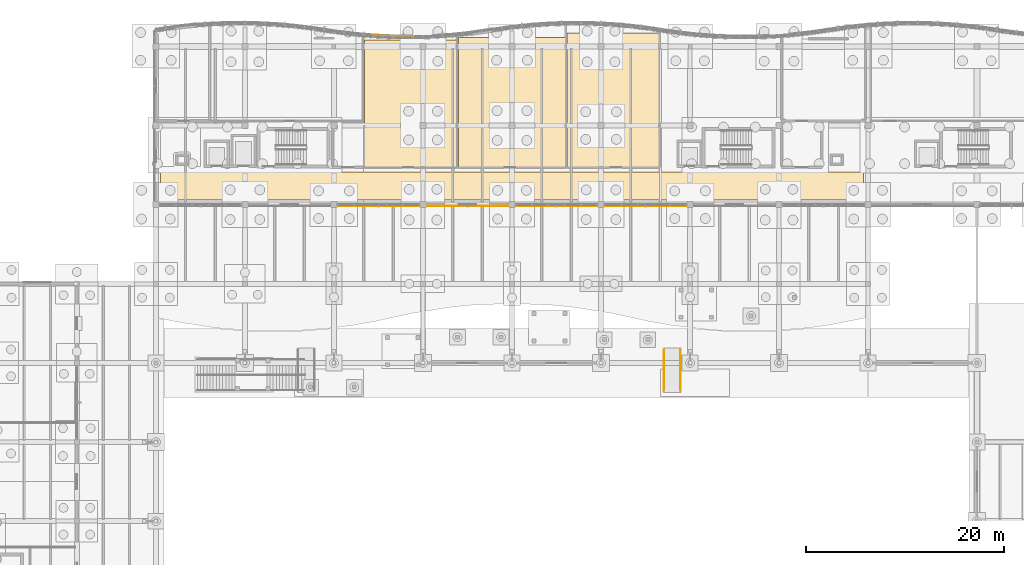
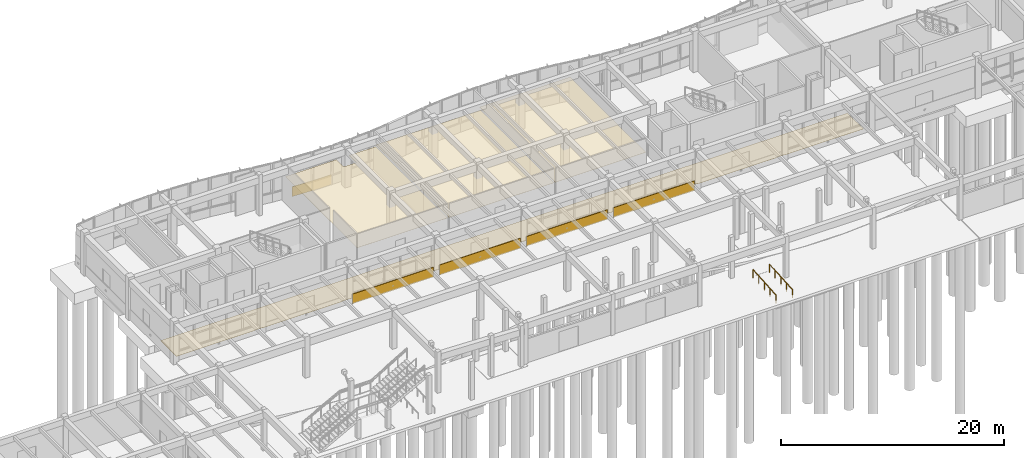
# One storey, part 91 of 99: 10 coverings, 2 railings.
"""IFC4 building model written with IfcOpenShell, lengths in metres."""

from ifc_helpers import new_model, si_unit, direction, frame, origin, origin_2d, place, context, subcontext, project, spatial, polyline, circle, outline, extrude, material, layer, layer_set, type_object, element, save


model = new_model("IFC4")

# Units and contexts
model_context = context("Model", 3, precision=1e-05, world=origin(), true_north=direction((0.0, 1.0)))
body_context = subcontext(model_context, "Body", "Model", "MODEL_VIEW")
ifc_project = project(units=[si_unit("LENGTHUNIT", "METRE"), si_unit("AREAUNIT", "SQUARE_METRE"), si_unit("VOLUMEUNIT", "CUBIC_METRE"), si_unit("PLANEANGLEUNIT", "RADIAN"), si_unit("MASSUNIT", "GRAM", prefix="KILO")], contexts=[model_context])

# Site, building, storey
site_placement = place(None, origin())
site = spatial("IfcSite", under=ifc_project, at=site_placement, CompositionType="ELEMENT")
building_placement = place(site_placement, origin())
building = spatial("IfcBuilding", under=site, at=building_placement, Name="Tonlespit Floodbar School", CompositionType="ELEMENT")
storey_placement = place(building_placement, origin())
storey = spatial("IfcBuildingStorey", under=building, at=storey_placement, Name="L00", CompositionType="ELEMENT", Elevation=0.0)

# Coverings
ifc_material_1 = material(Name="Acoustic Mineral Tile")
ifc_layer_1 = layer(ifc_material_1, 0.02001953125)
ifc_layer_set_1 = layer_set([ifc_layer_1], Name="Acoustic Mineral Tile")
covering_type_1 = type_object("IfcCoveringType", Name="Ceiling_Acoustic_20", PredefinedType="CEILING", material=ifc_layer_set_1)
covering_1_placement = place(storey_placement, frame((0.0, 0.0, 2.64990234375)))
element("IfcCovering", 1, at=covering_1_placement, inside=storey, type_object=covering_type_1, Name="L00 Primary Classroom 01 acoustic ceiling", PredefinedType="CEILING", context=body_context, shape_type="SweptSolid", body=[
    extrude(outline(polyline([(70.35009765625, 120.64111328125), (70.35009765625, 119.35009765625), (71.64990234375, 119.35009765625), (71.64990234375, 120.64111328125), (74.429931640625, 120.64111328125), (74.429931640625, 107.77001953125), (65.070068359375, 107.77001953125), (65.070068359375, 120.64111328125), (70.35009765625, 120.64111328125)])), origin(), (0.0, 0.0, 1.0), 0.02001953125),
])
covering_2_placement = place(storey_placement, frame((0.0, 0.0, 2.64990234375)))
element("IfcCovering", 2, at=covering_2_placement, inside=storey, type_object=covering_type_1, Name="L00 Primary Classroom 02 acoustic ceiling", PredefinedType="CEILING", context=body_context, shape_type="SweptSolid", body=[
    extrude(outline(polyline([(85.429931640625, 120.881591796875), (85.429931640625, 107.77001953125), (74.570068359375, 107.77001953125), (74.570068359375, 120.881591796875), (85.429931640625, 120.881591796875)])), origin(), (0.0, 0.0, 1.0), 0.02001953125),
])
covering_3_placement = place(storey_placement, frame((0.0, 0.0, 2.64990234375)))
element("IfcCovering", 3, at=covering_3_placement, inside=storey, type_object=covering_type_1, Name="L00 Primary Classroom 03 acoustic ceiling", PredefinedType="CEILING", context=body_context, shape_type="SweptSolid", body=[
    extrude(outline(polyline([(94.929931640625, 121.340087890625), (94.929931640625, 107.77001953125), (85.570068359375, 107.77001953125), (85.570068359375, 121.340087890625), (94.929931640625, 121.340087890625)])), origin(), (0.0, 0.0, 1.0), 0.02001953125),
])
ifc_material_2 = material(Name="White Architectural Aluminium", Category="aluminium")
ifc_layer_2 = layer(ifc_material_2, 0.050048828125)
ifc_layer_set_2 = layer_set([ifc_layer_2], Name="White Architectural Aluminium")
covering_type_2 = type_object("IfcCoveringType", Name="Cladding_WhiteBand_50", PredefinedType="CLADDING", material=ifc_layer_set_2)
covering_4_placement = place(storey_placement, frame((0.0, 0.0, -0.1201171875)))
element("IfcCovering", 4, at=covering_4_placement, inside=storey, type_object=covering_type_2, Name="L00 curved white spandrel cladding 0012", PredefinedType="CLADDING", context=body_context, shape_type="SweptSolid", body=[
    extrude(outline(polyline([(66.0048828125, 121.068359375), (68.0048828125, 120.97216796875), (68.007080078125, 121.02197265625), (66.007080078125, 121.118408203125), (66.0048828125, 121.068359375)])), origin(), (0.0, 0.0, 1.0), 1.070068359375),
])
covering_5_placement = place(storey_placement, frame((0.0, 0.0, -0.1201171875)))
element("IfcCovering", 5, at=covering_5_placement, inside=storey, type_object=covering_type_2, Name="L00 curved white spandrel cladding 0013", PredefinedType="CLADDING", context=body_context, shape_type="SweptSolid", body=[
    extrude(outline(polyline([(68.0009765625, 120.97216796875), (70.0009765625, 120.952880859375), (70.00146484375, 121.0029296875), (68.00146484375, 121.022216796875), (68.0009765625, 120.97216796875)])), origin(), (0.0, 0.0, 1.0), 1.070068359375),
])
covering_6_placement = place(storey_placement, frame((0.0, 0.0, -0.1201171875)))
element("IfcCovering", 6, at=covering_6_placement, inside=storey, type_object=covering_type_2, Name="L00 curved white spandrel cladding 0039", PredefinedType="CLADDING", context=body_context, shape_type="SweptSolid", body=[
    extrude(outline(polyline([(97.699951171875, 103.89990234375), (89.300048828125, 103.89990234375), (89.300048828125, 103.85009765625), (97.699951171875, 103.85009765625), (97.699951171875, 103.89990234375)])), origin(), (0.0, 0.0, 1.0), 1.070068359375),
])
covering_7_placement = place(storey_placement, frame((0.0, 0.0, -0.1201171875)))
element("IfcCovering", 7, at=covering_7_placement, inside=storey, type_object=covering_type_2, Name="L00 curved white spandrel cladding 0040", PredefinedType="CLADDING", context=body_context, shape_type="SweptSolid", body=[
    extrude(outline(polyline([(88.699951171875, 103.89990234375), (80.300048828125, 103.89990234375), (80.300048828125, 103.85009765625), (88.699951171875, 103.85009765625), (88.699951171875, 103.89990234375)])), origin(), (0.0, 0.0, 1.0), 1.070068359375),
])
covering_8_placement = place(storey_placement, frame((0.0, 0.0, -0.1201171875)))
element("IfcCovering", 8, at=covering_8_placement, inside=storey, type_object=covering_type_2, Name="L00 curved white spandrel cladding 0041", PredefinedType="CLADDING", context=body_context, shape_type="SweptSolid", body=[
    extrude(outline(polyline([(79.699951171875, 103.8798828125), (71.300048828125, 103.8798828125), (71.300048828125, 103.830078125), (79.699951171875, 103.830078125), (79.699951171875, 103.8798828125)])), origin(), (0.0, 0.0, 1.0), 1.1201171875),
])
covering_9_placement = place(storey_placement, frame((0.0, 0.0, -0.1201171875)))
element("IfcCovering", 9, at=covering_9_placement, inside=storey, type_object=covering_type_2, Name="L00 curved white spandrel cladding 0042", PredefinedType="CLADDING", context=body_context, shape_type="SweptSolid", body=[
    extrude(outline(polyline([(70.699951171875, 103.89990234375), (62.300048828125, 103.89990234375), (62.300048828125, 103.85009765625), (70.699951171875, 103.85009765625), (70.699951171875, 103.89990234375)])), origin(), (0.0, 0.0, 1.0), 1.070068359375),
])
ifc_material_3 = material(Name="Terrazzo Tile")
ifc_layer_3 = layer(ifc_material_3, 0.02001953125)
ifc_layer_set_3 = layer_set([ifc_layer_3], Name="Terrazzo Tile")
covering_type_3 = type_object("IfcCoveringType", Name="Flooring_Terrazzo_20", PredefinedType="FLOORING", material=ifc_layer_set_3)
covering_10_placement = place(storey_placement, origin())
element("IfcCovering", 10, at=covering_10_placement, inside=storey, type_object=covering_type_3, Name="L00 Academic Spine Protected Exit Corridor terrazzo flooring", PredefinedType="FLOORING", context=body_context, shape_type="SweptSolid", body=[
    extrude(outline(polyline([(44.469970703125, 104.469970703125), (44.469970703125, 107.330078125), (115.530029296875, 107.330078125), (115.530029296875, 104.469970703125), (107.451904296875, 104.469970703125), (107.320068359375, 104.52001953125), (106.660400390625, 104.51904296875), (106.548095703125, 104.469970703125), (98.451904296875, 104.469970703125), (98.320068359375, 104.52001953125), (97.660400390625, 104.51904296875), (97.548095703125, 104.469970703125), (89.451904296875, 104.469970703125), (89.320068359375, 104.52001953125), (88.660400390625, 104.51904296875), (88.548095703125, 104.469970703125), (80.451904296875, 104.469970703125), (80.320068359375, 104.52001953125), (79.660400390625, 104.51904296875), (79.548095703125, 104.469970703125), (71.451904296875, 104.469970703125), (71.320068359375, 104.52001953125), (70.660400390625, 104.51904296875), (70.548095703125, 104.469970703125), (62.451904296875, 104.469970703125), (62.320068359375, 104.52001953125), (61.660400390625, 104.51904296875), (61.548095703125, 104.469970703125), (53.451904296875, 104.469970703125), (53.320068359375, 104.52001953125), (52.660400390625, 104.51904296875), (52.548095703125, 104.469970703125), (44.469970703125, 104.469970703125)])), origin(), (0.0, 0.0, 1.0), 0.02001953125),
])

# Railings
ifc_material_4 = material(Name="Galvanised Steel", Category="steel")
railing_type = type_object("IfcRailingType", Name="Handrail_Ext_920", PredefinedType="HANDRAIL", material=ifc_material_4)
for number, where, name in (
    (11, (97.050048828125, 85.199951171875, -0.284912109375), "Ramp RMP-N2 handrail 1"),
    (12, (95.35009765625, 85.199951171875, -0.284912109375), "Ramp RMP-N2 handrail 2"),
):
    element("IfcRailing", number, at=place(storey_placement, frame(where)), inside=storey, type_object=railing_type, Name=name, PredefinedType="HANDRAIL", context=body_context, shape_type="SweptSolid", body=[
        extrude(circle(Radius=0.02392578125, at=origin_2d()), frame((0.0, 0.0, 0.89599609375), z_axis=(0.0, 0.997838466011, 0.065714501811), x_axis=(-1.0, 0.0, 0.0)), (0.0, 0.0, 1.0), 4.10888671875),
        extrude(circle(Radius=0.02099609375, at=origin_2d()), origin(), (0.0, 0.0, 1.0), 0.871826171875),
        extrude(circle(Radius=0.02099609375, at=origin_2d()), frame((0.0, 1.02490234375, 0.0673828125)), (0.0, 0.0, 1.0), 0.871826171875),
        extrude(circle(Radius=0.02099609375, at=origin_2d()), frame((0.0, 2.050048828125, 0.135009765625)), (0.0, 0.0, 1.0), 0.871826171875),
        extrude(circle(Radius=0.02099609375, at=origin_2d()), frame((0.0, 3.0751953125, 0.20263671875)), (0.0, 0.0, 1.0), 0.871826171875),
        extrude(circle(Radius=0.02099609375, at=origin_2d()), frame((0.0, 4.10009765625, 0.27001953125)), (0.0, 0.0, 1.0), 0.871826171875),
    ])

save(model, "model.ifc")
